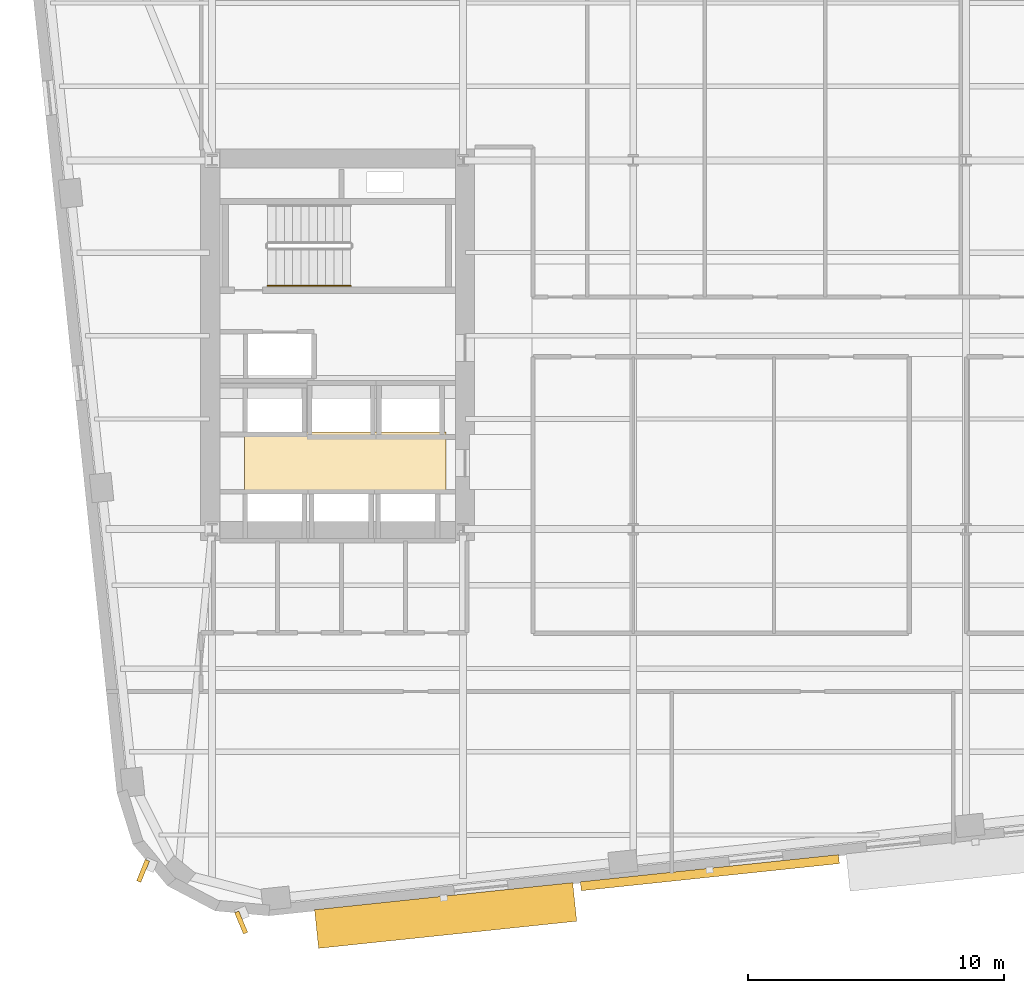
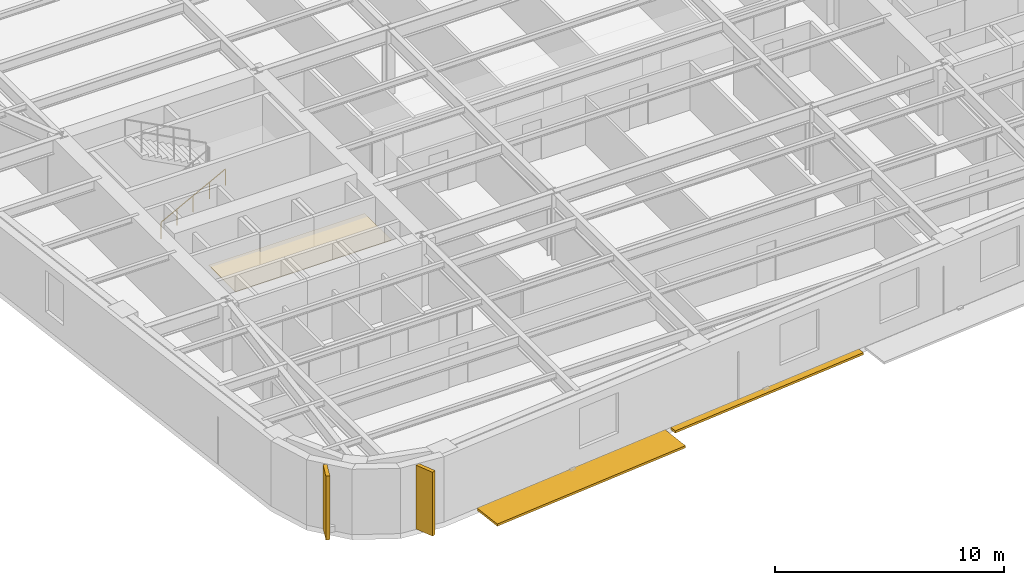
# One storey, part 9 of 15: 4 shading devices, 1 covering, 1 railing.
"""IFC4 building model written with IfcOpenShell, lengths in metres."""

import ifcopenshell
import ifcopenshell.guid

model = None  # the IFC model being written
_history = None  # IfcOwnerHistory: only IFC2X3 demands one
_inside = {}  # id of a spatial element -> (the spatial element, [elements in it])
_under = {}  # id of a project, library or spatial element -> (it, [spatial elements below it])
_declared = {}  # id of a project -> (the project, [libraries it declares])
_typed = {}  # id of a type object -> (the type object, [elements of that type])
_made_of = {}  # id of a material, layer set ... -> (it, [elements and type objects made of it])


def new_model(schema):
    """Start an empty IFC model of exactly this schema.

    Asked for "IFC4X3", IfcOpenShell would pick the latest addendum, in which some entities
    have other attributes; the version numbers below select the first issue.
    IFC2X3 requires an IfcOwnerHistory on every rooted entity: one is made here for all.
    """
    global model, _history
    if schema == "IFC4X3":
        model = ifcopenshell.file(schema_version=(4, 3, 0, 0))
    else:
        model = ifcopenshell.file(schema=schema)
    _inside.clear()
    _under.clear()
    _declared.clear()
    _typed.clear()
    _made_of.clear()
    _history = None
    if model.schema == "IFC2X3":
        org = make("IfcOrganization", Name="unknown")
        user = make(
            "IfcPersonAndOrganization",
            ThePerson=make("IfcPerson", FamilyName="unknown"),
            TheOrganization=org,
        )
        app = make(
            "IfcApplication",
            ApplicationDeveloper=org,
            Version="unknown",
            ApplicationFullName="unknown",
            ApplicationIdentifier="unknown",
        )
        _history = make(
            "IfcOwnerHistory",
            OwningUser=user,
            OwningApplication=app,
            ChangeAction="ADDED",
            CreationDate=0,
        )
    return model


def make(cls, **values):
    """One entity of the class cls with the attributes given. An attribute that is None is left unset."""
    return model.create_entity(
        cls, **{name: value for name, value in values.items() if value is not None}
    )


def rooted(cls, **values):
    """An entity with a GlobalId (a new one), such as an element, a storey or a relation."""
    return make(cls, GlobalId=ifcopenshell.guid.new(), OwnerHistory=_history, **values)


def si_unit(unit_type, name, prefix=None):
    """IfcSIUnit, for example si_unit("LENGTHUNIT", "METRE", prefix="MILLI")."""
    return make("IfcSIUnit", UnitType=unit_type, Prefix=prefix, Name=name)


def assignment(units):
    """IfcUnitAssignment: the units of a project."""
    return None if units is None else make("IfcUnitAssignment", Units=units)


def point(xyz):
    """IfcCartesianPoint."""
    return None if xyz is None else make("IfcCartesianPoint", Coordinates=xyz)


def direction(xyz):
    """IfcDirection."""
    return None if xyz is None else make("IfcDirection", DirectionRatios=xyz)


def frame(location, z_axis=None, x_axis=None):
    """IfcAxis2Placement3D, a coordinate frame: its origin and axes. An axis left out is left unset."""
    return make(
        "IfcAxis2Placement3D",
        Location=point(location),
        Axis=direction(z_axis),
        RefDirection=direction(x_axis),
    )


def frame_2d(location, x_axis=None):
    """IfcAxis2Placement2D, a coordinate frame in the plane: its origin and x axis."""
    return make(
        "IfcAxis2Placement2D", Location=point(location), RefDirection=direction(x_axis)
    )


def origin():
    """The frame at (0, 0, 0) with its axes left unset."""
    return frame((0.0, 0.0, 0.0))


def origin_2d():
    """The frame at (0, 0) in the plane with its x axis left unset."""
    return frame_2d((0.0, 0.0))


def place(relative_to, where):
    """IfcLocalPlacement: puts the frame where relative to a parent placement (None: the world)."""
    return make(
        "IfcLocalPlacement", PlacementRelTo=relative_to, RelativePlacement=where
    )


def context(
    kind, dimensions, precision=None, world=None, true_north=None, identifier=None
):
    """IfcGeometricRepresentationContext, for example the 3D "Model" context."""
    return make(
        "IfcGeometricRepresentationContext",
        ContextIdentifier=identifier,
        ContextType=kind,
        CoordinateSpaceDimension=dimensions,
        Precision=precision,
        WorldCoordinateSystem=world,
        TrueNorth=true_north,
    )


def subcontext(parent, identifier, kind, view, scale=None):
    """IfcGeometricRepresentationSubContext, for example "Body" below "Model"."""
    return make(
        "IfcGeometricRepresentationSubContext",
        ContextIdentifier=identifier,
        ContextType=kind,
        ParentContext=parent,
        TargetScale=scale,
        TargetView=view,
    )


def project(units=None, contexts=None):
    """IfcProject with its units and contexts."""
    return rooted(
        "IfcProject",
        Name="project",
        RepresentationContexts=contexts,
        UnitsInContext=assignment(units),
    )


def spatial(cls, under=None, at=None, **own):
    """A site, building, storey or space (cls), placed at a placement, below another one or the project."""
    s = rooted(cls, ObjectPlacement=at, **own)
    if under is not None:
        _under.setdefault(under.id(), (under, []))[1].append(s)
    return s


def polyline(points):
    """IfcPolyline through the points."""
    return make("IfcPolyline", Points=[point(p) for p in points])


def profile(cls, at=None, kind="AREA", **sizes):
    """A parametric profile (cls). Its sizes go by their IFC names, for example OverallWidth=200.0."""
    return make(cls, ProfileType=kind, Position=at, **sizes)


def rectangle(**sizes):
    """IfcRectangleProfileDef."""
    return profile("IfcRectangleProfileDef", **sizes)


def circle(**sizes):
    """IfcCircleProfileDef."""
    return profile("IfcCircleProfileDef", **sizes)


def outline(outer, holes=None, kind="AREA"):
    """IfcArbitraryClosedProfileDef: a profile drawn as a closed curve; with holes, ...WithVoids."""
    if holes is None:
        return make("IfcArbitraryClosedProfileDef", ProfileType=kind, OuterCurve=outer)
    return make(
        "IfcArbitraryProfileDefWithVoids",
        ProfileType=kind,
        OuterCurve=outer,
        InnerCurves=holes,
    )


def extrude(swept, where, along, depth):
    """IfcExtrudedAreaSolid: the profile swept, set in the frame where, extruded along a direction by depth."""
    return make(
        "IfcExtrudedAreaSolid",
        SweptArea=swept,
        Position=where,
        ExtrudedDirection=direction(along),
        Depth=depth,
    )


def shape(context_of_items, identifier, shape_type, items):
    """IfcShapeRepresentation: the items that make up one representation, for example the "Body"."""
    return make(
        "IfcShapeRepresentation",
        ContextOfItems=context_of_items,
        RepresentationIdentifier=identifier,
        RepresentationType=shape_type,
        Items=items,
    )


def material(Name=None, Category=None):
    """IfcMaterial."""
    return make("IfcMaterial", Name=Name, Category=Category)


def layer(
    of_material, thickness, ventilated=None, Name=None, Category=None, Priority=None
):
    """IfcMaterialLayer: one layer of a wall or slab, of a material (None: an air gap)."""
    return make(
        "IfcMaterialLayer",
        Material=of_material,
        LayerThickness=thickness,
        IsVentilated=ventilated,
        Name=Name,
        Category=Category,
        Priority=Priority,
    )


def layer_set(layers, Name=None):
    """IfcMaterialLayerSet."""
    return make("IfcMaterialLayerSet", MaterialLayers=layers, LayerSetName=Name)


def made_of(thing, what):
    """Note that an element or type object is made of a material, layer set ...; save() writes the relation."""
    if what is not None:
        _made_of.setdefault(what.id(), (what, []))[1].append(thing)
    return thing


def type_object(cls, material=None, **own):
    """A type object (cls), such as IfcWallType, which elements share."""
    return made_of(rooted(cls, **own), material)


def element(
    cls,
    number,
    at=None,
    inside=None,
    cuts=None,
    type_object=None,
    material=None,
    context=None,
    identifier="Body",
    shape_type=None,
    held_by="IfcProductDefinitionShape",
    body=None,
    shapes=None,
    **own,
):
    """One element of the class cls, such as IfcWall. Its Tag is "e" and its number.

    at: its placement. inside: the storey or other place that contains it. cuts: it is an
    opening in that element (IfcRelVoidsElement). A single representation is given by context,
    identifier, shape_type and body (its items); several are given by shapes. held_by: the class
    of the entity that holds the representations. save() writes the other relations.
    """
    e = rooted(cls, Tag="e%d" % number, ObjectPlacement=at, **own)
    if body is not None:
        shapes = [shape(context, identifier, shape_type, body)]
    if shapes is not None:
        e.Representation = make(held_by, Representations=shapes)
    if inside is not None:
        _inside.setdefault(inside.id(), (inside, []))[1].append(e)
    if cuts is not None:
        rooted(
            "IfcRelVoidsElement", RelatingBuildingElement=cuts, RelatedOpeningElement=e
        )
    if type_object is not None:
        _typed.setdefault(type_object.id(), (type_object, []))[1].append(e)
    return made_of(e, material)


def aggregate(whole, parts):
    """IfcRelAggregates: a whole, such as a stair, and the parts it consists of."""
    return rooted("IfcRelAggregates", RelatingObject=whole, RelatedObjects=parts)


def save(model, path):
    """Write the relations noted so far, then the file.

    IfcRelAggregates (storeys below a building ...), IfcRelContainedInSpatialStructure (elements
    in a storey), IfcRelDefinesByType, IfcRelAssociatesMaterial and IfcRelDeclares: one each for
    every whole, place, type object, material and project.
    """
    for whole, parts in _under.values():
        aggregate(whole, parts)
    for where, things in _inside.values():
        rooted(
            "IfcRelContainedInSpatialStructure",
            RelatedElements=things,
            RelatingStructure=where,
        )
    for kind, things in _typed.values():
        rooted("IfcRelDefinesByType", RelatedObjects=things, RelatingType=kind)
    for what, things in _made_of.values():
        rooted("IfcRelAssociatesMaterial", RelatedObjects=things, RelatingMaterial=what)
    for by, libraries in _declared.values():
        rooted("IfcRelDeclares", RelatingContext=by, RelatedDefinitions=libraries)
    model.write(path)


model = new_model("IFC4")

# Units and contexts
model_context = context("Model", 3, precision=1e-05, world=origin(), true_north=direction((0.0, 1.0)))
body_context = subcontext(model_context, "Body", "Model", "MODEL_VIEW")
ifc_project = project(units=[si_unit("LENGTHUNIT", "METRE"), si_unit("AREAUNIT", "SQUARE_METRE"), si_unit("VOLUMEUNIT", "CUBIC_METRE"), si_unit("PLANEANGLEUNIT", "RADIAN"), si_unit("MASSUNIT", "GRAM", prefix="KILO")], contexts=[model_context])

# Site, building, storey
site_placement = place(None, origin())
site = spatial("IfcSite", under=ifc_project, at=site_placement, CompositionType="ELEMENT")
building_placement = place(site_placement, origin())
building = spatial("IfcBuilding", under=site, at=building_placement, Name="Kolvaren Arena Tower", CompositionType="ELEMENT")
storey_placement = place(building_placement, frame((0.0, 0.0, 118.449951171875)))
storey = spatial("IfcBuildingStorey", under=building, at=storey_placement, Name="L27", CompositionType="ELEMENT", Elevation=118.449951171875)

# Covering
ifc_material_1 = material(Name="Moisture-resistant gypsum ceiling", Category="gypsum")
ifc_layer = layer(ifc_material_1, 0.030029296875)
ifc_layer_set = layer_set([ifc_layer], Name="Moisture-resistant gypsum ceiling")
covering_type = type_object("IfcCoveringType", Name="CEIL-GYP-1", PredefinedType="CEILING", material=ifc_layer_set)
covering_placement = place(storey_placement, frame((0.0, 0.0, 2.52001953125)))
element("IfcCovering", 1, at=covering_placement, inside=storey, type_object=covering_type, Name="Suspended Ceiling (L27)", PredefinedType="CEILING", context=body_context, shape_type="SweptSolid", body=[
    extrude(outline(polyline([(15.820068359375, 20.89990234375), (15.820068359375, 23.239990234375), (23.679931640625, 23.239990234375), (23.679931640625, 20.89990234375), (15.820068359375, 20.89990234375)])), origin(), (0.0, 0.0, 1.0), 0.030029296875),
])

# Railing
ifc_material_2 = material(Name="Brushed stainless steel handrail", Category="steel")
railing_type = type_object("IfcRailingType", Name="HRAIL-900", PredefinedType="HANDRAIL", material=ifc_material_2)
railing_placement = place(storey_placement, frame((16.719970703125, 28.949951171875, 0.17041015625)))
element("IfcRailing", 2, at=railing_placement, inside=storey, type_object=railing_type, Name="L27 ST-W1 stair handrail 1", PredefinedType="HANDRAIL", context=body_context, shape_type="SweptSolid", body=[
    extrude(circle(Radius=0.02392578125, at=origin_2d()), frame((0.0, 0.0, 0.8759765625), z_axis=(0.884993431791, 0.0, 0.465603506952), x_axis=(0.0, 1.0, 0.0)), (0.0, 0.0, 1.0), 3.6611328125),
    extrude(circle(Radius=0.02099609375, at=origin_2d()), origin(), (0.0, 0.0, 1.0), 0.851806640625),
    extrude(circle(Radius=0.02099609375, at=origin_2d()), frame((0.81005859375, 0.0, 0.42626953125)), (0.0, 0.0, 1.0), 0.851806640625),
    extrude(circle(Radius=0.02099609375, at=origin_2d()), frame((1.6201171875, 0.0, 0.852294921875)), (0.0, 0.0, 1.0), 0.851806640625),
    extrude(circle(Radius=0.02099609375, at=origin_2d()), frame((2.429931640625, 0.0, 1.2783203125)), (0.0, 0.0, 1.0), 0.851806640625),
    extrude(circle(Radius=0.02099609375, at=origin_2d()), frame((3.239990234375, 0.0, 1.70458984375)), (0.0, 0.0, 1.0), 0.851806640625),
])

# Shading devices
ifc_material_3 = material(Name="Precast architectural concrete C50/60 rib fin", Category="concrete")
shading_device_type_1 = type_object("IfcShadingDeviceType", Name="SHAD-FIN-28", PredefinedType="USERDEFINED", material=ifc_material_3)
for number, where, z_axis, x_axis, name in (
    (3, (11.8525390625, 6.09521484375, 0.02001953125), (0.0, 0.0, 1.0), (-0.378634078949, -0.925546451702, 0.0), "Precast 28-Deg Corner Rib Fin (L27)"),
    (4, (15.683837890625, 4.07958984375, 0.02001953125), (0.0, 0.0, 1.0), (0.386706132999, -0.922202996472, 0.0), "Precast 28-Deg Corner Rib Fin (L27)"),
):
    element("IfcShadingDevice", number, at=place(storey_placement, frame(where, z_axis=z_axis, x_axis=x_axis)), inside=storey, type_object=shading_device_type_1, Name=name, ObjectType="FIN", PredefinedType="USERDEFINED", context=body_context, shape_type="SweptSolid", body=[
        extrude(rectangle(XDim=0.89990234375, YDim=0.179931640625, at=origin_2d()), origin(), (0.0, 0.0, 1.0), 3.39990234375),
    ])
ifc_material_4 = material(Name="Architectural precast GFRC and anodised aluminium sunshade", Category="concrete")
shading_device_type_2 = type_object("IfcShadingDeviceType", Name="SHAD-SINE-A", PredefinedType="USERDEFINED", material=ifc_material_4)
shading_device_1_placement = place(storey_placement, frame((33.994140625, 6.0263671875, -0.139892578125), z_axis=(0.0, 0.0, 1.0), x_axis=(-0.994522077803, -0.104526727499, 0.0)))
element("IfcShadingDevice", 5, at=shading_device_1_placement, inside=storey, type_object=shading_device_type_2, Name="Sinusoidal Slab-Edge Sunshade Louvre (L27)", ObjectType="LOUVRE", PredefinedType="USERDEFINED", context=body_context, shape_type="SweptSolid", body=[
    extrude(rectangle(XDim=10.139892578125, YDim=0.3505859375, at=origin_2d()), origin(), (0.0, 0.0, 1.0), 0.1201171875),
])
shading_device_type_3 = type_object("IfcShadingDeviceType", Name="SHAD-SINE-B", PredefinedType="JALOUSIE", material=ifc_material_4)
shading_device_2_placement = place(storey_placement, frame((23.672119140625, 4.35498046875, -0.139892578125), z_axis=(0.0, 0.0, 1.0), x_axis=(-0.994522077803, -0.104526727499, 0.0)))
element("IfcShadingDevice", 6, at=shading_device_2_placement, inside=storey, type_object=shading_device_type_3, Name="Sinusoidal Slab-Edge Sunshade Louvre (L27)", PredefinedType="JALOUSIE", context=body_context, shape_type="SweptSolid", body=[
    extrude(rectangle(XDim=10.139892578125, YDim=1.51708984375, at=origin_2d()), origin(), (0.0, 0.0, 1.0), 0.1201171875),
])

save(model, "model.ifc")
